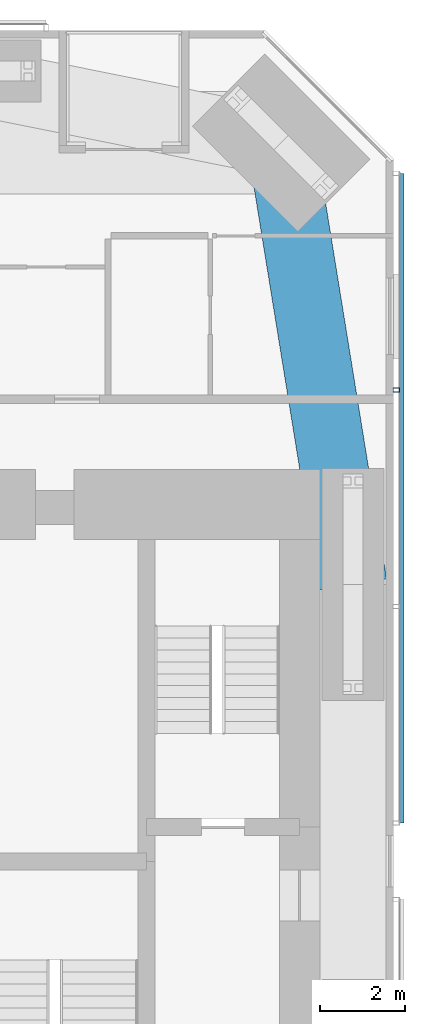
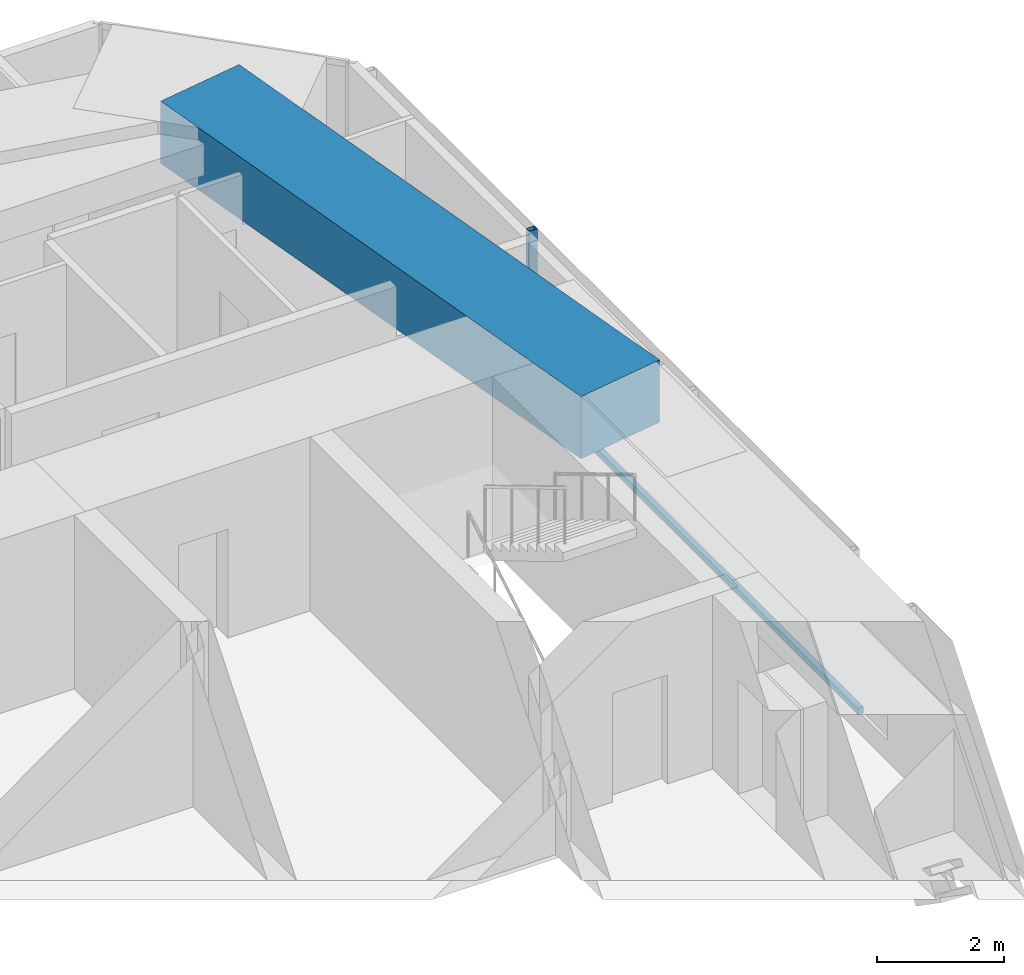
# One storey, part 11 of 24: 2 members, 1 beam, 1 element without a shape of its own.
"""IFC4 building model written with IfcOpenShell, lengths in metres."""

from ifc_helpers import new_model, si_unit, direction, frame, origin, origin_2d, place, context, subcontext, project, spatial, rectangle, hollow_rectangle, extrude, material, material_profile, profile_set, type_object, element, aggregate, save


model = new_model("IFC4")

# Units and contexts
model_context = context("Model", 3, precision=1e-05, world=origin(), true_north=direction((0.0, 1.0)))
body_context = subcontext(model_context, "Body", "Model", "MODEL_VIEW")
ifc_project = project(units=[si_unit("LENGTHUNIT", "METRE"), si_unit("AREAUNIT", "SQUARE_METRE"), si_unit("VOLUMEUNIT", "CUBIC_METRE"), si_unit("PLANEANGLEUNIT", "RADIAN"), si_unit("MASSUNIT", "GRAM", prefix="KILO")], contexts=[model_context])

# Site, building, storey
site_placement = place(None, origin())
site = spatial("IfcSite", under=ifc_project, at=site_placement, CompositionType="ELEMENT")
building_placement = place(site_placement, origin())
building = spatial("IfcBuilding", under=site, at=building_placement, Name="Jalousie Tower", CompositionType="ELEMENT")
storey_placement = place(building_placement, frame((0.0, 0.0, 44.449951171875)))
storey = spatial("IfcBuildingStorey", under=building, at=storey_placement, Name="L11", CompositionType="ELEMENT", Elevation=44.449951171875)

# Beam
ifc_material_1 = material(Name="Concrete f'c 40 MPa", Category="concrete")
ifc_material_profile_1 = material_profile(ifc_material_1, rectangle(XDim=1.60009765625, YDim=1.199951171875, at=origin_2d()), Name="RC 1600x1200")
ifc_profile_set_1 = profile_set([ifc_material_profile_1], Name="Concrete f'c 40 MPa")
beam_type = type_object("IfcBeamType", Name="RC BEAM 1600x1200", PredefinedType="BEAM", material=ifc_profile_set_1)
beam_placement = place(storey_placement, frame((45.050048828125, 25.0, 2.75), z_axis=(-0.160070546476, 0.987105577003, 0.0), x_axis=(-0.987105577003, -0.160070546476, 0.0)))
element("IfcBeam", 1, at=beam_placement, inside=storey, type_object=beam_type, Name="Edge band beam 07-08 under L12", PredefinedType="BEAM", context=body_context, shape_type="SweptSolid", body=[
    extrude(rectangle(XDim=1.60009765625, YDim=1.199951171875, at=origin_2d()), origin(), (0.0, 0.0, 1.0), 10.504150390625),
])

# Curtain wall, members
ifc_material_2 = material(Name="Perforated aluminium sheet", Category="aluminium")
curtain_wall_type = type_object("IfcCurtainWallType", Name="SOLAR SCREEN SS-1", PredefinedType="USERDEFINED", material=ifc_material_2)
curtain_wall_placement = place(storey_placement, origin())
curtain_wall = element("IfcCurtainWall", 2, at=curtain_wall_placement, inside=storey, type_object=curtain_wall_type, Name="Solar screen L11", ObjectType="SOLAR SCREEN SS-1", PredefinedType="USERDEFINED")
ifc_material_3 = material(Name="Steel ASTM A500 Grade C", Category="steel")
ifc_material_profile_2 = material_profile(ifc_material_3, hollow_rectangle(XDim=0.1015625, YDim=0.15234375, WallThickness=0.00634765625, at=origin_2d()), Name="HSS6X4X1/4")
ifc_profile_set_2 = profile_set([ifc_material_profile_2], Name="Steel ASTM A500 Grade C")
member_type_1 = type_object("IfcMemberType", Name="SOLAR SCREEN SS-1 MULLION", PredefinedType="MULLION", material=ifc_profile_set_2)
member_1_placement = place(storey_placement, frame((46.0712890625, 29.56591796875, -0.119873046875), z_axis=(0.0, 0.0, 1.0), x_axis=(0.0, 1.0, 0.0)))
member_1 = element("IfcMember", 3, at=member_1_placement, type_object=member_type_1, Name="SS1 post 3", PredefinedType="MULLION", context=body_context, shape_type="SweptSolid", body=[
    extrude(hollow_rectangle(XDim=0.1015625, YDim=0.15234375, WallThickness=0.00634765625, at=origin_2d()), origin(), (0.0, 0.0, 1.0), 3.22998046875),
])
ifc_material_4 = material(Name="Extruded aluminium screen rail", Category="aluminium")
ifc_material_profile_3 = material_profile(ifc_material_4, rectangle(XDim=0.1015625, YDim=0.1201171875, at=origin_2d()), Name="RAIL 102x120")
ifc_profile_set_3 = profile_set([ifc_material_profile_3], Name="Extruded aluminium screen rail")
member_type_2 = type_object("IfcMemberType", Name="SOLAR SCREEN SS-1 TRANSOM", PredefinedType="USERDEFINED", material=ifc_profile_set_3)
member_2_placement = place(storey_placement, frame((46.1982421875, 19.39990234375, -0.06005859375), z_axis=(0.0, 1.0, 0.0), x_axis=(-1.0, 0.0, 0.0)))
member_2 = element("IfcMember", 4, at=member_2_placement, type_object=member_type_2, Name="SS1 rail", ObjectType="TRANSOM", PredefinedType="USERDEFINED", context=body_context, shape_type="SweptSolid", body=[
    extrude(rectangle(XDim=0.1015625, YDim=0.1201171875, at=origin_2d()), origin(), (0.0, 0.0, 1.0), 15.248779296875),
])
aggregate(curtain_wall, [member_1, member_2])

save(model, "model.ifc")
